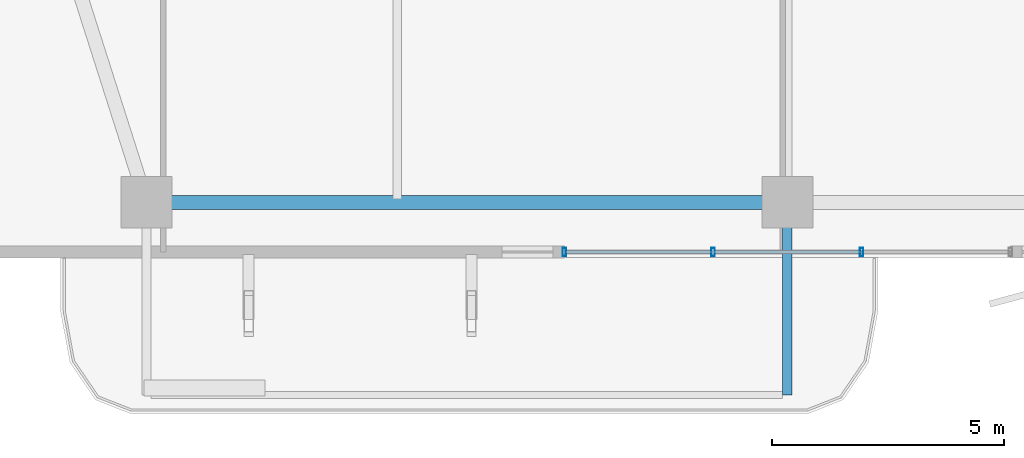
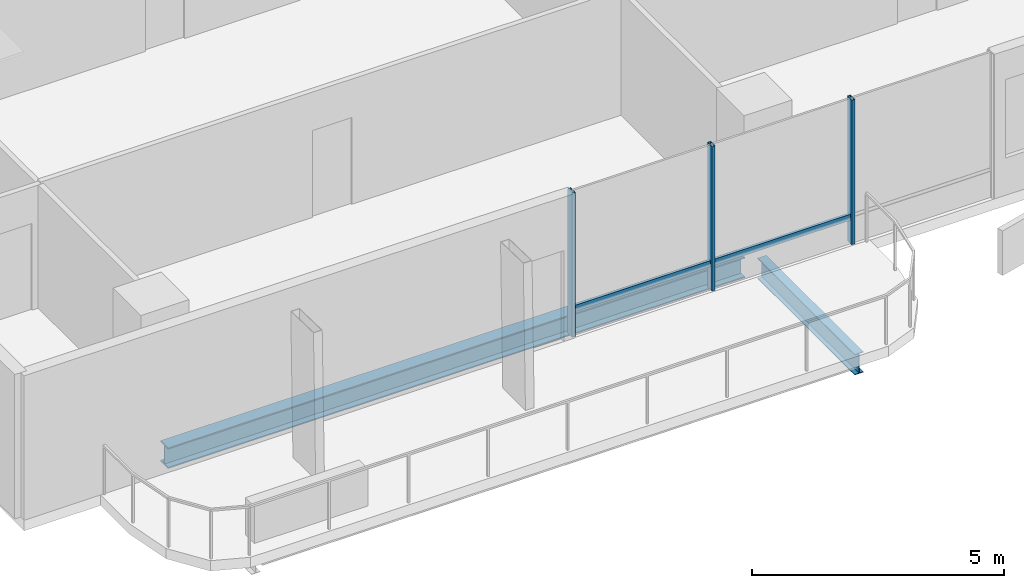
# One storey, part 2 of 25: 5 members, 2 beams, 1 element without a shape of its own.
"""IFC4 building model written with IfcOpenShell, lengths in metres."""

from ifc_helpers import new_model, si_unit, direction, frame, origin, origin_2d, place, context, subcontext, project, spatial, hollow_rectangle, i_section, extrude, material, layer, layer_set, material_profile, profile_set, type_object, element, aggregate, save


model = new_model("IFC4")

# Units and contexts
model_context = context("Model", 3, precision=1e-05, world=origin(), true_north=direction((0.0, 1.0)))
body_context = subcontext(model_context, "Body", "Model", "MODEL_VIEW")
ifc_project = project(units=[si_unit("LENGTHUNIT", "METRE"), si_unit("AREAUNIT", "SQUARE_METRE"), si_unit("VOLUMEUNIT", "CUBIC_METRE"), si_unit("PLANEANGLEUNIT", "RADIAN"), si_unit("MASSUNIT", "GRAM", prefix="KILO")], contexts=[model_context])

# Site, building, storey
site_placement = place(None, origin())
site = spatial("IfcSite", under=ifc_project, at=site_placement, CompositionType="ELEMENT")
building_placement = place(site_placement, origin())
building = spatial("IfcBuilding", under=site, at=building_placement, Name="Belovzor Exchange Tower", CompositionType="ELEMENT")
storey_placement = place(building_placement, frame((0.0, 0.0, 160.800048828125)))
storey = spatial("IfcBuildingStorey", under=building, at=storey_placement, Name="L39", CompositionType="ELEMENT", Elevation=160.800048828125)

# Beam
ifc_material_1 = material(Name="Steel S355", Category="steel")
ifc_material_profile_1 = material_profile(ifc_material_1, i_section(OverallWidth=0.199951171875, OverallDepth=0.5, WebThickness=0.01025390625, FlangeThickness=0.01611328125, at=origin_2d()))
ifc_profile_set_1 = profile_set([ifc_material_profile_1], Name="Steel S355")
beam_type_1 = type_object("IfcBeamType", Name="Planted Balcony Cantilever Beam IPE 500", PredefinedType="BEAM", material=ifc_profile_set_1)
beam_1_placement = place(storey_placement, frame((28.800048828125, 5.39697265625, -0.505126953125), z_axis=(0.0, -1.0, 0.0), x_axis=(1.0, 0.0, 0.0)))
element("IfcBeam", 1, at=beam_1_placement, inside=storey, type_object=beam_type_1, Name="BC-500 Planted Balcony Cantilever Beam IPE 500", PredefinedType="BEAM", context=body_context, shape_type="SweptSolid", body=[
    extrude(i_section(OverallWidth=0.199951171875, OverallDepth=0.5, WebThickness=0.01025390625, FlangeThickness=0.01611328125, at=origin_2d()), origin(), (0.0, 0.0, 1.0), 3.849853515625),
])

# Curtain wall, members
ifc_material_2 = material(Name="Anodised Aluminium Framing", Category="aluminium")
ifc_layer = layer(ifc_material_2, 0.179931640625)
ifc_layer_set = layer_set([ifc_layer], Name="Anodised Aluminium Framing")
curtain_wall_type = type_object("IfcCurtainWallType", Name="Recessed Loggia Low-Iron Triple-Glazed Curtain Wall", PredefinedType="NOTDEFINED", material=ifc_layer_set)
curtain_wall_placement = place(storey_placement, origin())
curtain_wall = element("IfcCurtainWall", 2, at=curtain_wall_placement, inside=storey, type_object=curtain_wall_type, Name="CW3 Recessed Loggia Low-Iron Triple-Glazed Curtain Wall L39", PredefinedType="NOTDEFINED")
ifc_material_3 = material(Name="Steel S355", Category="steel")
ifc_material_profile_2 = material_profile(ifc_material_3, hollow_rectangle(XDim=0.074951171875, YDim=0.179931640625, WallThickness=0.0048828125, at=origin_2d()))
ifc_profile_set_2 = profile_set([ifc_material_profile_2], Name="Steel S355")
member_type_1 = type_object("IfcMemberType", Name="Thermally Broken Curtain Wall Mullion 180x75", PredefinedType="MULLION", material=ifc_profile_set_2)
member_1_placement = place(storey_placement, frame((30.39990234375, 4.6298828125, 0.0), z_axis=(0.0, 0.0, 1.0), x_axis=(-1.0, 0.0, 0.0)))
member_1 = element("IfcMember", 3, at=member_1_placement, type_object=member_type_1, Name="CW-M180 Curtain Wall Mullion 2", PredefinedType="MULLION", context=body_context, shape_type="SweptSolid", body=[
    extrude(hollow_rectangle(XDim=0.074951171875, YDim=0.179931640625, WallThickness=0.0048828125, at=origin_2d()), origin(), (0.0, 0.0, 1.0), 3.494873046875),
])
member_2_placement = place(storey_placement, frame((27.199951171875, 4.6298828125, 0.0), z_axis=(0.0, 0.0, 1.0), x_axis=(-1.0, 0.0, 0.0)))
member_2 = element("IfcMember", 4, at=member_2_placement, type_object=member_type_1, Name="CW-M180 Curtain Wall Mullion 3", PredefinedType="MULLION", context=body_context, shape_type="SweptSolid", body=[
    extrude(hollow_rectangle(XDim=0.074951171875, YDim=0.179931640625, WallThickness=0.0048828125, at=origin_2d()), origin(), (0.0, 0.0, 1.0), 3.494873046875),
])
member_3_placement = place(storey_placement, frame((24.0, 4.6298828125, 0.0), z_axis=(0.0, 0.0, 1.0), x_axis=(-1.0, 0.0, 0.0)))
member_3 = element("IfcMember", 5, at=member_3_placement, type_object=member_type_1, Name="CW-M180 Curtain Wall Mullion 4", PredefinedType="MULLION", context=body_context, shape_type="SweptSolid", body=[
    extrude(hollow_rectangle(XDim=0.074951171875, YDim=0.179931640625, WallThickness=0.0048828125, at=origin_2d()), origin(), (0.0, 0.0, 1.0), 3.494873046875),
])
ifc_material_4 = material(Name="Steel S355", Category="steel")
ifc_material_profile_3 = material_profile(ifc_material_4, hollow_rectangle(XDim=0.06005859375, YDim=0.14990234375, WallThickness=0.00390625, at=origin_2d()))
ifc_profile_set_3 = profile_set([ifc_material_profile_3], Name="Steel S355")
member_type_2 = type_object("IfcMemberType", Name="Thermally Broken Curtain Wall Transom 150x60", PredefinedType="USERDEFINED", material=ifc_profile_set_3)
member_4_placement = place(storey_placement, frame((30.39208984375, 4.6298828125, 0.62890625), z_axis=(-1.0, 0.0, 0.0), x_axis=(0.0, -1.0, 0.0)))
member_4 = element("IfcMember", 6, at=member_4_placement, type_object=member_type_2, Name="CW-T150 Curtain Wall Transom 2", ObjectType="TRANSOM", PredefinedType="USERDEFINED", context=body_context, shape_type="SweptSolid", body=[
    extrude(hollow_rectangle(XDim=0.06005859375, YDim=0.14990234375, WallThickness=0.00390625, at=origin_2d()), origin(), (0.0, 0.0, 1.0), 3.18408203125),
])
member_5_placement = place(storey_placement, frame((27.19189453125, 4.6298828125, 0.62890625), z_axis=(-1.0, 0.0, 0.0), x_axis=(0.0, -1.0, 0.0)))
member_5 = element("IfcMember", 7, at=member_5_placement, type_object=member_type_2, Name="CW-T150 Curtain Wall Transom 3", ObjectType="TRANSOM", PredefinedType="USERDEFINED", context=body_context, shape_type="SweptSolid", body=[
    extrude(hollow_rectangle(XDim=0.06005859375, YDim=0.14990234375, WallThickness=0.00390625, at=origin_2d()), origin(), (0.0, 0.0, 1.0), 3.183837890625),
])
aggregate(curtain_wall, [member_1, member_2, member_3, member_4, member_5])

# Beam
ifc_material_5 = material(Name="Steel S355", Category="steel")
ifc_material_profile_4 = material_profile(ifc_material_5, i_section(OverallWidth=0.300048828125, OverallDepth=0.5, WebThickness=0.014404296875, FlangeThickness=0.028076171875, at=origin_2d()))
ifc_profile_set_4 = profile_set([ifc_material_profile_4], Name="Steel S355")
beam_type_2 = type_object("IfcBeamType", Name="Zone 3 Waist Primary Girder HEB 500", PredefinedType="BEAM", material=ifc_profile_set_4)
beam_2_placement = place(storey_placement, frame((15.302978515625, 5.699951171875, -0.505126953125), z_axis=(1.0, 0.0, 0.0), x_axis=(0.0, 1.0, 0.0)))
element("IfcBeam", 8, at=beam_2_placement, inside=storey, type_object=beam_type_2, Name="FG-Z3 Zone 3 Waist Primary Girder HEB 500", PredefinedType="BEAM", context=body_context, shape_type="SweptSolid", body=[
    extrude(i_section(OverallWidth=0.300048828125, OverallDepth=0.5, WebThickness=0.014404296875, FlangeThickness=0.028076171875, at=origin_2d()), origin(), (0.0, 0.0, 1.0), 13.195068359375),
])

save(model, "model.ifc")
